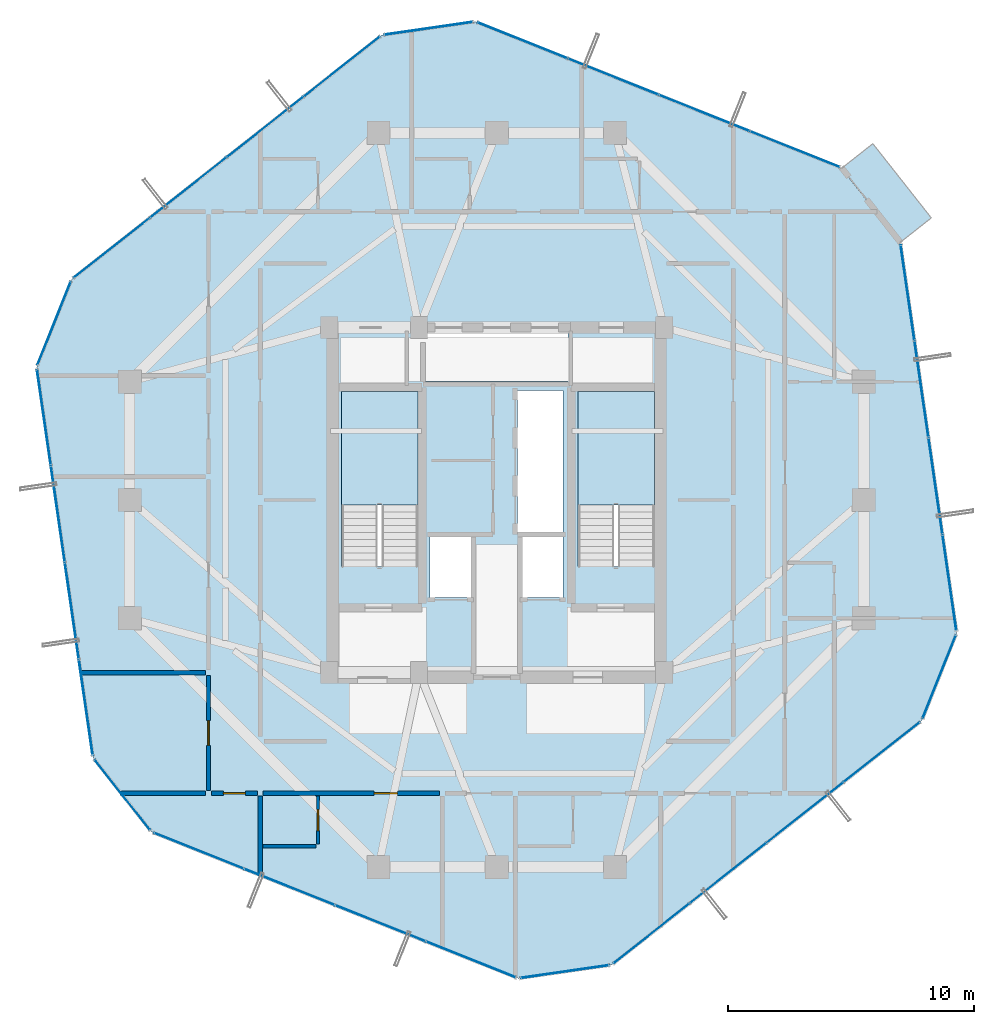
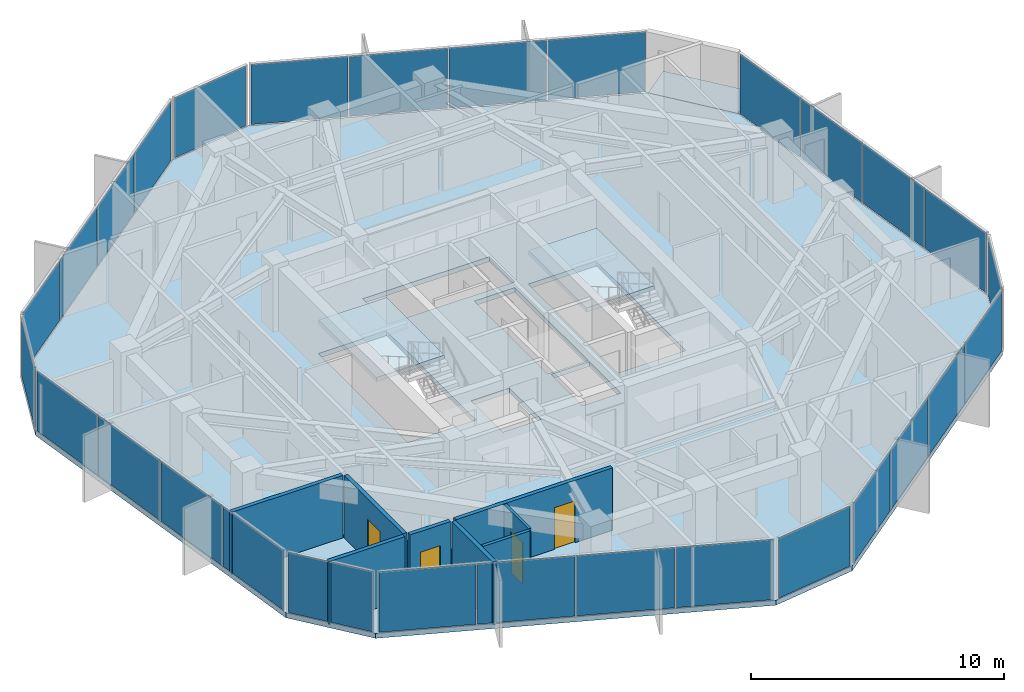
# One storey, part 26 of 31: 29 plates, 8 walls, 4 doors, 4 slabs, 4 openings, 13 elements without a shape of their own.
"""IFC4 building model written with IfcOpenShell, lengths in metres."""

from ifc_helpers import new_model, si_unit, direction, frame, frame_2d, origin, origin_2d, place, context, subcontext, project, spatial, polyline, rectangle, outline, extrude, source, transform, mapped, material, layer, layer_set, type_object, element, fill, aggregate, save


model = new_model("IFC4")

# Units and contexts
model_context = context("Model", 3, precision=1e-05, world=origin(), true_north=direction((0.0, 1.0)))
body_context = subcontext(model_context, "Body", "Model", "MODEL_VIEW")
ifc_project = project(units=[si_unit("LENGTHUNIT", "METRE"), si_unit("AREAUNIT", "SQUARE_METRE"), si_unit("VOLUMEUNIT", "CUBIC_METRE"), si_unit("PLANEANGLEUNIT", "RADIAN"), si_unit("MASSUNIT", "GRAM", prefix="KILO")], contexts=[model_context])

# Site, building, storey
site_placement = place(None, origin())
site = spatial("IfcSite", under=ifc_project, at=site_placement, CompositionType="ELEMENT")
building_placement = place(site_placement, origin())
building = spatial("IfcBuilding", under=site, at=building_placement, Name="Veraguas Prism Commons", CompositionType="ELEMENT")
storey_placement = place(building_placement, frame((0.0, 0.0, 178.85009765625)))
storey = spatial("IfcBuildingStorey", under=building, at=storey_placement, Name="L50", CompositionType="ELEMENT", Elevation=178.85009765625)

# Stair, slab
ifc_material_1 = material(Name="Precast concrete C45/55", Category="concrete")
stair_type = type_object("IfcStairType", Name="Dogleg Core Stair 1480W 20R 05", PredefinedType="HALF_TURN_STAIR", material=ifc_material_1)
stair_1_placement = place(storey_placement, origin())
stair_1 = element("IfcStair", 1, at=stair_1_placement, inside=storey, type_object=stair_type, Name="Protected Exit Stair ST-01 L50", PredefinedType="HALF_TURN_STAIR")
ifc_layer_1 = layer(ifc_material_1, 0.199951171875, Name="Precast Stair and Ramp Landing Slab 200", Category="concrete")
ifc_layer_set_1 = layer_set([ifc_layer_1], Name="Precast concrete C45/55")
slab_type_1 = type_object("IfcSlabType", Name="Precast Stair and Ramp Landing Slab 200", PredefinedType="LANDING", material=ifc_layer_set_1)
slab_1_placement = place(storey_placement, frame((0.0, 0.0, 1.4248046875)))
slab_1 = element("IfcSlab", 2, at=slab_1_placement, type_object=slab_type_1, Name="ST-05 Landing 1", PredefinedType="LANDING", context=body_context, shape_type="SweptSolid", body=[
    extrude(outline(polyline([(20.800048828125, 23.800048828125), (20.800048828125, 28.39990234375), (17.68994140625, 28.39990234375), (17.68994140625, 23.800048828125), (20.800048828125, 23.800048828125)])), origin(), (0.0, 0.0, 1.0), 0.2001953125),
])
aggregate(stair_1, [slab_1])

stair_2_placement = place(storey_placement, origin())
stair_2 = element("IfcStair", 3, at=stair_2_placement, inside=storey, type_object=stair_type, Name="Protected Exit Stair ST-02 L50", PredefinedType="HALF_TURN_STAIR")
slab_2_placement = place(storey_placement, frame((0.0, 0.0, 1.4248046875)))
slab_2 = element("IfcSlab", 4, at=slab_2_placement, type_object=slab_type_1, Name="ST-05 Landing 1", PredefinedType="LANDING", context=body_context, shape_type="SweptSolid", body=[
    extrude(outline(polyline([(30.39990234375, 23.800048828125), (30.39990234375, 28.39990234375), (27.2900390625, 28.39990234375), (27.2900390625, 23.800048828125), (30.39990234375, 23.800048828125)])), origin(), (0.0, 0.0, 1.0), 0.2001953125),
])
aggregate(stair_2, [slab_2])

# Slabs
ifc_material_2 = material(Name="Concrete C45/55", Category="concrete")
ifc_layer_2 = layer(ifc_material_2, 0.219970703125, Name="Recessed Loggia and Terrace Slab RC 220", Category="concrete")
ifc_layer_set_2 = layer_set([ifc_layer_2], Name="Concrete C45/55")
slab_type_2 = type_object("IfcSlabType", Name="Recessed Loggia and Terrace Slab RC 220", PredefinedType="FLOOR", material=ifc_layer_set_2)
slab_3_placement = place(storey_placement, frame((0.0, 0.0, -0.22021484375)))
element("IfcSlab", 5, at=slab_3_placement, inside=storey, type_object=slab_type_2, Name="Recessed Corner Loggia L50-C1", PredefinedType="FLOOR", context=body_context, shape_type="SweptSolid", body=[
    extrude(outline(polyline([(40.3671875, 34.448486328125), (41.639892578125, 35.450927734375), (39.267578125, 38.46337890625), (37.994873046875, 37.461181640625), (40.3671875, 34.448486328125)])), origin(), (0.0, 0.0, 1.0), 0.22021484375),
])
ifc_layer_3 = layer(ifc_material_2, 0.235107421875, Name="Tower Upper Residential Floor Slab RC 235", Category="concrete")
ifc_layer_set_3 = layer_set([ifc_layer_3], Name="Concrete C45/55")
slab_type_3 = type_object("IfcSlabType", Name="Tower Upper Residential Floor Slab RC 235", PredefinedType="FLOOR", material=ifc_layer_set_3)
slab_4_placement = place(storey_placement, frame((0.0, 0.0, -0.235107421875)))
element("IfcSlab", 6, at=slab_4_placement, inside=storey, type_object=slab_type_3, Name="Tower Floor Slab L50", PredefinedType="FLOOR", context=body_context, shape_type="SweptSolid", body=[
    extrude(outline(polyline([(40.3828125, 34.4609375), (38.010498046875, 37.473388671875), (23.1318359375, 43.41845703125), (19.3369140625, 42.870361328125), (6.7490234375, 32.95751953125), (5.326416015625, 29.396728515625), (7.6171875, 13.5390625), (9.989501953125, 10.526611328125), (24.8681640625, 4.58154296875), (28.6630859375, 5.129638671875), (41.2509765625, 15.04248046875), (42.673583984375, 18.603271484375), (40.3828125, 34.4609375)]), holes=[polyline([(20.800048828125, 21.31005859375), (20.800048828125, 28.39990234375), (17.68994140625, 28.39990234375), (17.68994140625, 21.31005859375), (20.800048828125, 21.31005859375)]), polyline([(30.39990234375, 21.31005859375), (30.39990234375, 28.39990234375), (27.2900390625, 28.39990234375), (27.2900390625, 21.31005859375), (30.39990234375, 21.31005859375)]), polyline([(24.85009765625, 22.64990234375), (26.699951171875, 22.64990234375), (26.699951171875, 28.449951171875), (24.85009765625, 28.449951171875), (24.85009765625, 22.64990234375)]), polyline([(21.10009765625, 28.800048828125), (26.89990234375, 28.800048828125), (26.89990234375, 30.800048828125), (21.10009765625, 30.800048828125), (21.10009765625, 28.800048828125)]), polyline([(21.300048828125, 20.050048828125), (23.050048828125, 20.050048828125), (23.050048828125, 22.550048828125), (21.300048828125, 22.550048828125), (21.300048828125, 20.050048828125)]), polyline([(24.949951171875, 20.050048828125), (26.699951171875, 20.050048828125), (26.699951171875, 22.550048828125), (24.949951171875, 22.550048828125), (24.949951171875, 20.050048828125)])]), origin(), (0.0, 0.0, 1.0), 0.235107421875),
])

# Curtain wall, plates
ifc_material_3 = material(Name="Anodised aluminium EN AW-6063 T6", Category="aluminium")
ifc_layer_4 = layer(ifc_material_3, 0.14990234375, Name="Unitised Flush Curtain Wall Zone 3", Category="aluminium")
ifc_layer_set_4 = layer_set([ifc_layer_4], Name="Anodised aluminium EN AW-6063 T6")
curtain_wall_type = type_object("IfcCurtainWallType", Name="Unitised Flush Curtain Wall Zone 3", PredefinedType="NOTDEFINED", material=ifc_layer_set_4)
curtain_wall_1_placement = place(storey_placement, origin())
curtain_wall_1 = element("IfcCurtainWall", 7, at=curtain_wall_1_placement, inside=storey, type_object=curtain_wall_type, Name="Tower Facade Curtain Wall L50-F1", PredefinedType="NOTDEFINED")
ifc_material_4 = material(Name="Laminated low-e glass", Category="glass")
ifc_layer_5 = layer(ifc_material_4, 0.028076171875, Name="Unitised Double Low-E Glazed Panel 28", Category="glass")
ifc_layer_set_5 = layer_set([ifc_layer_5], Name="Laminated low-e glass")
plate_type = type_object("IfcPlateType", Name="Unitised Double Low-E Glazed Panel 28", PredefinedType="CURTAIN_PANEL", material=ifc_layer_set_5)
shared_shape_1 = source(origin(), body_context, "Body", "SweptSolid", [
    extrude(rectangle(XDim=3.885498046875, YDim=0.028076171875, at=origin_2d()), origin(), (0.0, 0.0, 1.0), 2.905029296875),
])
plate_1_placement = place(storey_placement, frame((36.094970703125, 38.239013671875, 0.0546875), z_axis=(0.0, 0.0, 1.0), x_axis=(-0.928617992492, 0.37103722727, 0.0)))
plate_1 = element("IfcPlate", 8, at=plate_1_placement, type_object=plate_type, Name="CW-Z3 Panel 1.1", PredefinedType="CURTAIN_PANEL", context=body_context, shape_type="MappedRepresentation", body=[
    mapped(shared_shape_1, transform((0.0, 0.0, 0.0), scale=1.0)),
])
plate_2_placement = place(storey_placement, frame((25.04736328125, 42.653076171875, 0.0546875), z_axis=(0.0, 0.0, 1.0), x_axis=(-0.928617992492, 0.37103722727, 0.0)))
plate_2 = element("IfcPlate", 9, at=plate_2_placement, type_object=plate_type, Name="CW-Z3 Panel 4.1", PredefinedType="CURTAIN_PANEL", context=body_context, shape_type="MappedRepresentation", body=[
    mapped(shared_shape_1, transform((0.0, 0.0, 0.0), scale=1.0)),
])

curtain_wall_2_placement = place(storey_placement, origin())
curtain_wall_2 = element("IfcCurtainWall", 10, at=curtain_wall_2_placement, inside=storey, type_object=curtain_wall_type, Name="Tower Facade Curtain Wall L50-F3", PredefinedType="NOTDEFINED")
plate_3_placement = place(storey_placement, frame((5.621337890625, 27.355224609375, 0.0546875), z_axis=(0.0, 0.0, 1.0), x_axis=(0.142972694692, -0.989726633254, 0.0)))
plate_3 = element("IfcPlate", 11, at=plate_3_placement, type_object=plate_type, Name="CW-Z3 Panel 1.1", PredefinedType="CURTAIN_PANEL", context=body_context, shape_type="MappedRepresentation", body=[
    mapped(shared_shape_1, transform((0.0, 0.0, 0.0), scale=1.0)),
])
plate_4_placement = place(storey_placement, frame((7.322265625, 15.58056640625, 0.0546875), z_axis=(0.0, 0.0, 1.0), x_axis=(0.142972694692, -0.989726633254, 0.0)))
plate_4 = element("IfcPlate", 12, at=plate_4_placement, type_object=plate_type, Name="CW-Z3 Panel 4.1", PredefinedType="CURTAIN_PANEL", context=body_context, shape_type="MappedRepresentation", body=[
    mapped(shared_shape_1, transform((0.0, 0.0, 0.0), scale=1.0)),
])

curtain_wall_3_placement = place(storey_placement, origin())
curtain_wall_3 = element("IfcCurtainWall", 13, at=curtain_wall_3_placement, inside=storey, type_object=curtain_wall_type, Name="Tower Facade Curtain Wall L50-F4", PredefinedType="NOTDEFINED")
plate_5_placement = place(storey_placement, frame((11.905029296875, 9.760986328125, 0.0546875), z_axis=(0.0, 0.0, 1.0), x_axis=(0.928617992492, -0.37103722727, 0.0)))
plate_5 = element("IfcPlate", 14, at=plate_5_placement, type_object=plate_type, Name="CW-Z3 Panel 1.1", PredefinedType="CURTAIN_PANEL", context=body_context, shape_type="MappedRepresentation", body=[
    mapped(shared_shape_1, transform((0.0, 0.0, 0.0), scale=1.0)),
])
plate_6_placement = place(storey_placement, frame((22.95263671875, 5.346923828125, 0.0546875), z_axis=(0.0, 0.0, 1.0), x_axis=(0.928617992492, -0.37103722727, 0.0)))
plate_6 = element("IfcPlate", 15, at=plate_6_placement, type_object=plate_type, Name="CW-Z3 Panel 4.1", PredefinedType="CURTAIN_PANEL", context=body_context, shape_type="MappedRepresentation", body=[
    mapped(shared_shape_1, transform((0.0, 0.0, 0.0), scale=1.0)),
])

curtain_wall_4_placement = place(storey_placement, origin())
curtain_wall_4 = element("IfcCurtainWall", 16, at=curtain_wall_4_placement, inside=storey, type_object=curtain_wall_type, Name="Tower Facade Curtain Wall L50-F6", PredefinedType="NOTDEFINED")
plate_7_placement = place(storey_placement, frame((42.378662109375, 20.644775390625, 0.0546875), z_axis=(0.0, 0.0, 1.0), x_axis=(-0.142972694692, 0.989726633254, 0.0)))
plate_7 = element("IfcPlate", 17, at=plate_7_placement, type_object=plate_type, Name="CW-Z3 Panel 1.1", PredefinedType="CURTAIN_PANEL", context=body_context, shape_type="MappedRepresentation", body=[
    mapped(shared_shape_1, transform((0.0, 0.0, 0.0), scale=1.0)),
])
plate_8_placement = place(storey_placement, frame((40.677734375, 32.41943359375, 0.0546875), z_axis=(0.0, 0.0, 1.0), x_axis=(-0.142972694692, 0.989726633254, 0.0)))
plate_8 = element("IfcPlate", 18, at=plate_8_placement, type_object=plate_type, Name="CW-Z3 Panel 4.1", PredefinedType="CURTAIN_PANEL", context=body_context, shape_type="MappedRepresentation", body=[
    mapped(shared_shape_1, transform((0.0, 0.0, 0.0), scale=1.0)),
])

# Plate
shared_shape_2 = source(origin(), body_context, "Body", "SweptSolid", [
    extrude(rectangle(XDim=3.91552734375, YDim=0.028076171875, at=origin_2d()), origin(), (0.0, 0.0, 1.0), 2.905029296875),
])
plate_9_placement = place(storey_placement, frame((32.417236328125, 39.70849609375, 0.0546875), z_axis=(0.0, 0.0, 1.0), x_axis=(-0.928617992492, 0.37103722727, 0.0)))
plate_9 = element("IfcPlate", 19, at=plate_9_placement, type_object=plate_type, Name="CW-Z3 Panel 2.1", PredefinedType="CURTAIN_PANEL", context=body_context, shape_type="MappedRepresentation", body=[
    mapped(shared_shape_2, transform((0.0, 0.0, 0.0), scale=1.0)),
])

plate_10_placement = place(storey_placement, frame((28.725341796875, 41.18359375, 0.0546875), z_axis=(0.0, 0.0, 1.0), x_axis=(-0.928617992492, 0.37103722727, 0.0)))
plate_10 = element("IfcPlate", 20, at=plate_10_placement, type_object=plate_type, Name="CW-Z3 Panel 3.1", PredefinedType="CURTAIN_PANEL", context=body_context, shape_type="MappedRepresentation", body=[
    mapped(shared_shape_2, transform((0.0, 0.0, 0.0), scale=1.0)),
])

aggregate(curtain_wall_1, [plate_1, plate_9, plate_10, plate_2])

# Curtain wall, plates
curtain_wall_5_placement = place(storey_placement, origin())
curtain_wall_5 = element("IfcCurtainWall", 21, at=curtain_wall_5_placement, inside=storey, type_object=curtain_wall_type, Name="Tower Facade Curtain Wall L50-F2", PredefinedType="NOTDEFINED")
plate_11_placement = place(storey_placement, frame((14.604736328125, 39.143798828125, 0.0546875), z_axis=(0.0, 0.0, 1.0), x_axis=(-0.785642059854, -0.618681302278, 0.0)))
plate_11 = element("IfcPlate", 22, at=plate_11_placement, type_object=plate_type, Name="CW-Z3 Panel 2.1", PredefinedType="CURTAIN_PANEL", context=body_context, shape_type="MappedRepresentation", body=[
    mapped(shared_shape_2, transform((0.0, 0.0, 0.0), scale=1.0)),
])
plate_12_placement = place(storey_placement, frame((11.481201171875, 36.68408203125, 0.0546875), z_axis=(0.0, 0.0, 1.0), x_axis=(-0.785642059854, -0.618681302278, 0.0)))
plate_12 = element("IfcPlate", 23, at=plate_12_placement, type_object=plate_type, Name="CW-Z3 Panel 3.1", PredefinedType="CURTAIN_PANEL", context=body_context, shape_type="MappedRepresentation", body=[
    mapped(shared_shape_2, transform((0.0, 0.0, 0.0), scale=1.0)),
])

# Plate
plate_13_placement = place(storey_placement, frame((6.1875, 23.435302734375, 0.0546875), z_axis=(0.0, 0.0, 1.0), x_axis=(0.142972694692, -0.989726633254, 0.0)))
plate_13 = element("IfcPlate", 24, at=plate_13_placement, type_object=plate_type, Name="CW-Z3 Panel 2.1", PredefinedType="CURTAIN_PANEL", context=body_context, shape_type="MappedRepresentation", body=[
    mapped(shared_shape_2, transform((0.0, 0.0, 0.0), scale=1.0)),
])

plate_14_placement = place(storey_placement, frame((6.755859375, 19.50048828125, 0.0546875), z_axis=(0.0, 0.0, 1.0), x_axis=(0.142972694692, -0.989726633254, 0.0)))
plate_14 = element("IfcPlate", 25, at=plate_14_placement, type_object=plate_type, Name="CW-Z3 Panel 3.1", PredefinedType="CURTAIN_PANEL", context=body_context, shape_type="MappedRepresentation", body=[
    mapped(shared_shape_2, transform((0.0, 0.0, 0.0), scale=1.0)),
])

aggregate(curtain_wall_2, [plate_3, plate_13, plate_14, plate_4])

plate_15_placement = place(storey_placement, frame((15.582763671875, 8.29150390625, 0.0546875), z_axis=(0.0, 0.0, 1.0), x_axis=(0.928617992492, -0.37103722727, 0.0)))
plate_15 = element("IfcPlate", 26, at=plate_15_placement, type_object=plate_type, Name="CW-Z3 Panel 2.1", PredefinedType="CURTAIN_PANEL", context=body_context, shape_type="MappedRepresentation", body=[
    mapped(shared_shape_2, transform((0.0, 0.0, 0.0), scale=1.0)),
])

plate_16_placement = place(storey_placement, frame((19.274658203125, 6.81640625, 0.0546875), z_axis=(0.0, 0.0, 1.0), x_axis=(0.928617992492, -0.37103722727, 0.0)))
plate_16 = element("IfcPlate", 27, at=plate_16_placement, type_object=plate_type, Name="CW-Z3 Panel 3.1", PredefinedType="CURTAIN_PANEL", context=body_context, shape_type="MappedRepresentation", body=[
    mapped(shared_shape_2, transform((0.0, 0.0, 0.0), scale=1.0)),
])

aggregate(curtain_wall_3, [plate_5, plate_15, plate_16, plate_6])

# Curtain wall, plates
curtain_wall_6_placement = place(storey_placement, origin())
curtain_wall_6 = element("IfcCurtainWall", 28, at=curtain_wall_6_placement, inside=storey, type_object=curtain_wall_type, Name="Tower Facade Curtain Wall L50-F5", PredefinedType="NOTDEFINED")
plate_17_placement = place(storey_placement, frame((33.395263671875, 8.856201171875, 0.0546875), z_axis=(0.0, 0.0, 1.0), x_axis=(0.785642059854, 0.618681302278, 0.0)))
plate_17 = element("IfcPlate", 29, at=plate_17_placement, type_object=plate_type, Name="CW-Z3 Panel 2.1", PredefinedType="CURTAIN_PANEL", context=body_context, shape_type="MappedRepresentation", body=[
    mapped(shared_shape_2, transform((0.0, 0.0, 0.0), scale=1.0)),
])
plate_18_placement = place(storey_placement, frame((36.518798828125, 11.31591796875, 0.0546875), z_axis=(0.0, 0.0, 1.0), x_axis=(0.785642059854, 0.618681302278, 0.0)))
plate_18 = element("IfcPlate", 30, at=plate_18_placement, type_object=plate_type, Name="CW-Z3 Panel 3.1", PredefinedType="CURTAIN_PANEL", context=body_context, shape_type="MappedRepresentation", body=[
    mapped(shared_shape_2, transform((0.0, 0.0, 0.0), scale=1.0)),
])

# Plate
plate_19_placement = place(storey_placement, frame((41.8125, 24.564697265625, 0.0546875), z_axis=(0.0, 0.0, 1.0), x_axis=(-0.142972694692, 0.989726633254, 0.0)))
plate_19 = element("IfcPlate", 31, at=plate_19_placement, type_object=plate_type, Name="CW-Z3 Panel 2.1", PredefinedType="CURTAIN_PANEL", context=body_context, shape_type="MappedRepresentation", body=[
    mapped(shared_shape_2, transform((0.0, 0.0, 0.0), scale=1.0)),
])

plate_20_placement = place(storey_placement, frame((41.244140625, 28.49951171875, 0.0546875), z_axis=(0.0, 0.0, 1.0), x_axis=(-0.142972694692, 0.989726633254, 0.0)))
plate_20 = element("IfcPlate", 32, at=plate_20_placement, type_object=plate_type, Name="CW-Z3 Panel 3.1", PredefinedType="CURTAIN_PANEL", context=body_context, shape_type="MappedRepresentation", body=[
    mapped(shared_shape_2, transform((0.0, 0.0, 0.0), scale=1.0)),
])

aggregate(curtain_wall_4, [plate_7, plate_19, plate_20, plate_8])

shared_shape_3 = source(origin(), body_context, "Body", "SweptSolid", [
    extrude(rectangle(XDim=3.8857421875, YDim=0.028076171875, at=origin_2d()), origin(), (0.0, 0.0, 1.0), 2.905029296875),
])
plate_21_placement = place(storey_placement, frame((17.71630859375, 41.593994140625, 0.0546875), z_axis=(0.0, 0.0, 1.0), x_axis=(-0.785642059854, -0.618681302278, 0.0)))
plate_21 = element("IfcPlate", 33, at=plate_21_placement, type_object=plate_type, Name="CW-Z3 Panel 1.1", PredefinedType="CURTAIN_PANEL", context=body_context, shape_type="MappedRepresentation", body=[
    mapped(shared_shape_3, transform((0.0, 0.0, 0.0), scale=1.0)),
])

plate_22_placement = place(storey_placement, frame((8.36962890625, 34.233642578125, 0.0546875), z_axis=(0.0, 0.0, 1.0), x_axis=(-0.785642059854, -0.618681302278, 0.0)))
plate_22 = element("IfcPlate", 34, at=plate_22_placement, type_object=plate_type, Name="CW-Z3 Panel 4.1", PredefinedType="CURTAIN_PANEL", context=body_context, shape_type="MappedRepresentation", body=[
    mapped(shared_shape_3, transform((0.0, 0.0, 0.0), scale=1.0)),
])

aggregate(curtain_wall_5, [plate_21, plate_11, plate_12, plate_22])

plate_23_placement = place(storey_placement, frame((30.28369140625, 6.406005859375, 0.0546875), z_axis=(0.0, 0.0, 1.0), x_axis=(0.785642059854, 0.618681302278, 0.0)))
plate_23 = element("IfcPlate", 35, at=plate_23_placement, type_object=plate_type, Name="CW-Z3 Panel 1.1", PredefinedType="CURTAIN_PANEL", context=body_context, shape_type="MappedRepresentation", body=[
    mapped(shared_shape_3, transform((0.0, 0.0, 0.0), scale=1.0)),
])

plate_24_placement = place(storey_placement, frame((39.63037109375, 13.766357421875, 0.0546875), z_axis=(0.0, 0.0, 1.0), x_axis=(0.785642059854, 0.618681302278, 0.0)))
plate_24 = element("IfcPlate", 36, at=plate_24_placement, type_object=plate_type, Name="CW-Z3 Panel 4.1", PredefinedType="CURTAIN_PANEL", context=body_context, shape_type="MappedRepresentation", body=[
    mapped(shared_shape_3, transform((0.0, 0.0, 0.0), scale=1.0)),
])

aggregate(curtain_wall_6, [plate_23, plate_17, plate_18, plate_24])

# Curtain wall, plate
curtain_wall_7_placement = place(storey_placement, origin())
curtain_wall_7 = element("IfcCurtainWall", 37, at=curtain_wall_7_placement, inside=storey, type_object=curtain_wall_type, Name="Chamfer Curtain Wall L50-C2", PredefinedType="NOTDEFINED")
shared_shape_4 = source(origin(), body_context, "Body", "SweptSolid", [
    extrude(rectangle(XDim=3.59423828125, YDim=0.028076171875, at=origin_2d()), origin(), (0.0, 0.0, 1.0), 2.905029296875),
])
plate_25_placement = place(storey_placement, frame((21.234375, 43.144287109375, 0.0546875), z_axis=(0.0, 0.0, 1.0), x_axis=(-0.989728629433, -0.142958875487, 0.0)))
plate_25 = element("IfcPlate", 38, at=plate_25_placement, type_object=plate_type, Name="CW-Z3 Panel 1.1", PredefinedType="CURTAIN_PANEL", context=body_context, shape_type="MappedRepresentation", body=[
    mapped(shared_shape_4, transform((0.0, 0.0, 0.0), scale=1.0)),
])
aggregate(curtain_wall_7, [plate_25])

curtain_wall_8_placement = place(storey_placement, origin())
curtain_wall_8 = element("IfcCurtainWall", 39, at=curtain_wall_8_placement, inside=storey, type_object=curtain_wall_type, Name="Chamfer Curtain Wall L50-C5", PredefinedType="NOTDEFINED")
plate_26_placement = place(storey_placement, frame((26.765625, 4.855712890625, 0.0546875), z_axis=(0.0, 0.0, 1.0), x_axis=(0.989728629433, 0.142958875487, 0.0)))
plate_26 = element("IfcPlate", 40, at=plate_26_placement, type_object=plate_type, Name="CW-Z3 Panel 1.1", PredefinedType="CURTAIN_PANEL", context=body_context, shape_type="MappedRepresentation", body=[
    mapped(shared_shape_4, transform((0.0, 0.0, 0.0), scale=1.0)),
])
aggregate(curtain_wall_8, [plate_26])

curtain_wall_9_placement = place(storey_placement, origin())
curtain_wall_9 = element("IfcCurtainWall", 41, at=curtain_wall_9_placement, inside=storey, type_object=curtain_wall_type, Name="Chamfer Curtain Wall L50-C3", PredefinedType="NOTDEFINED")
shared_shape_5 = source(origin(), body_context, "Body", "SweptSolid", [
    extrude(rectangle(XDim=3.594482421875, YDim=0.028076171875, at=origin_2d()), origin(), (0.0, 0.0, 1.0), 2.905029296875),
])
plate_27_placement = place(storey_placement, frame((6.03759765625, 31.17724609375, 0.0546875), z_axis=(0.0, 0.0, 1.0), x_axis=(-0.371014536741, -0.928627058365, 0.0)))
plate_27 = element("IfcPlate", 42, at=plate_27_placement, type_object=plate_type, Name="CW-Z3 Panel 1.1", PredefinedType="CURTAIN_PANEL", context=body_context, shape_type="MappedRepresentation", body=[
    mapped(shared_shape_5, transform((0.0, 0.0, 0.0), scale=1.0)),
])
aggregate(curtain_wall_9, [plate_27])

curtain_wall_10_placement = place(storey_placement, origin())
curtain_wall_10 = element("IfcCurtainWall", 43, at=curtain_wall_10_placement, inside=storey, type_object=curtain_wall_type, Name="Chamfer Curtain Wall L50-C4", PredefinedType="NOTDEFINED")
plate_28_placement = place(storey_placement, frame((8.80322265625, 12.03271484375, 0.0546875), z_axis=(0.0, 0.0, 1.0), x_axis=(0.618678559866, -0.785644219454, 0.0)))
plate_28 = element("IfcPlate", 44, at=plate_28_placement, type_object=plate_type, Name="CW-Z3 Panel 1.1", PredefinedType="CURTAIN_PANEL", context=body_context, shape_type="MappedRepresentation", body=[
    mapped(shared_shape_5, transform((0.0, 0.0, 0.0), scale=1.0)),
])
aggregate(curtain_wall_10, [plate_28])

curtain_wall_11_placement = place(storey_placement, origin())
curtain_wall_11 = element("IfcCurtainWall", 45, at=curtain_wall_11_placement, inside=storey, type_object=curtain_wall_type, Name="Chamfer Curtain Wall L50-C6", PredefinedType="NOTDEFINED")
plate_29_placement = place(storey_placement, frame((41.96240234375, 16.82275390625, 0.0546875), z_axis=(0.0, 0.0, 1.0), x_axis=(0.371014536741, 0.928627058365, 0.0)))
plate_29 = element("IfcPlate", 46, at=plate_29_placement, type_object=plate_type, Name="CW-Z3 Panel 1.1", PredefinedType="CURTAIN_PANEL", context=body_context, shape_type="MappedRepresentation", body=[
    mapped(shared_shape_5, transform((0.0, 0.0, 0.0), scale=1.0)),
])
aggregate(curtain_wall_11, [plate_29])

# Wall
ifc_material_5 = material(Name="Autoclaved aerated masonry block 10 MPa", Category="masonry")
ifc_layer_6 = layer(ifc_material_5, 0.179931640625, Name="Corridor and Inter-Tenancy Partition 180", Category="masonry")
ifc_layer_set_6 = layer_set([ifc_layer_6], Name="Autoclaved aerated masonry block 10 MPa")
wall_type_1 = type_object("IfcWallType", Name="Corridor and Inter-Tenancy Partition 180", PredefinedType="PARTITIONING", material=ifc_layer_set_6)
wall_1_placement = place(storey_placement, frame((14.39990234375, 11.97998046875, 0.0), z_axis=(0.0, 0.0, 1.0), x_axis=(0.0, -1.0, 0.0)))
element("IfcWall", 47, at=wall_1_placement, inside=storey, type_object=wall_type_1, Name="WL-L50-PT001", PredefinedType="PARTITIONING", context=body_context, shape_type="SweptSolid", body=[
    extrude(rectangle(XDim=3.248046875, YDim=0.179931640625, at=frame_2d((1.6240234375, 0.0))), origin(), (0.0, 0.0, 1.0), 3.014892578125),
])

# Wall, opening, door
wall_2_placement = place(storey_placement, frame((14.510009765625, 12.10009765625, 0.0), z_axis=(0.0, 0.0, 1.0), x_axis=(1.0, 0.0, 0.0)))
wall_2 = element("IfcWall", 48, at=wall_2_placement, inside=storey, type_object=wall_type_1, Name="WL-L50-PT005", PredefinedType="PARTITIONING", context=body_context, shape_type="SweptSolid", body=[
    extrude(rectangle(XDim=7.174072265625, YDim=0.179931640625, at=frame_2d((3.5869140625, 0.0))), origin(), (0.0, 0.0, 1.0), 3.014892578125),
])
opening_1_placement = place(wall_2_placement, frame((4.509765625, 0.0, 0.0)))
opening_1 = element("IfcOpeningElement", 49, at=opening_1_placement, cuts=wall_2, Name="Opening DR-01", PredefinedType="OPENING", context=body_context, shape_type="SweptSolid", body=[
    extrude(rectangle(XDim=0.949951171875, YDim=2.02001953125, at=frame_2d((0.47509765625, 1.010009765625))), frame((0.0, 0.099853515625, 0.0), z_axis=(0.0, -1.0, 0.0), x_axis=(1.0, 0.0, 0.0)), (0.0, 0.0, 1.0), 0.199951171875),
])
door_type_1 = type_object("IfcDoorType", Name="Apartment Entrance Fire Door 950x2020", OperationType="NOTDEFINED", PredefinedType="DOOR", material=ifc_material_3)
shared_shape_6 = source(origin(), body_context, "Body", "SweptSolid", [
    extrude(rectangle(XDim=0.949951171875, YDim=2.02001953125, at=frame_2d((0.47509765625, 1.010009765625))), frame((0.0, 0.02490234375, 0.0), z_axis=(0.0, -1.0, 0.0), x_axis=(1.0, 0.0, 0.0)), (0.0, 0.0, 1.0), 0.050048828125),
])
door_1_placement = place(opening_1_placement, origin())
door_1 = element("IfcDoor", 50, at=door_1_placement, inside=storey, type_object=door_type_1, Name="Studio 50A Entrance Door", OperationType="SINGLE_SWING_RIGHT", OverallHeight=2.02001953125, OverallWidth=0.949951171875, PredefinedType="DOOR", context=body_context, shape_type="MappedRepresentation", body=[
    mapped(shared_shape_6, transform((0.0, 0.0, 0.0), scale=1.0)),
])
fill(opening_1, door_1)

# Wall
wall_3_placement = place(storey_placement, frame((12.179931640625, 12.10009765625, 0.0), z_axis=(0.0, 0.0, 1.0), x_axis=(-1.0, 0.0, 0.0)))
element("IfcWall", 51, at=wall_3_placement, inside=storey, type_object=wall_type_1, Name="WL-L50-PT027", PredefinedType="PARTITIONING", context=body_context, shape_type="SweptSolid", body=[
    extrude(rectangle(XDim=3.4677734375, YDim=0.179931640625, at=frame_2d((1.73388671875, 0.0))), origin(), (0.0, 0.0, 1.0), 3.014892578125),
])

# Wall, opening, door
wall_4_placement = place(storey_placement, frame((12.300048828125, 12.2099609375, 0.0), z_axis=(0.0, 0.0, 1.0), x_axis=(0.0, 1.0, 0.0)))
wall_4 = element("IfcWall", 52, at=wall_4_placement, inside=storey, type_object=wall_type_1, Name="WL-L50-PT029", PredefinedType="PARTITIONING", context=body_context, shape_type="SweptSolid", body=[
    extrude(rectangle(XDim=4.6640625, YDim=0.179931640625, at=frame_2d((2.33203125, 0.0))), origin(), (0.0, 0.0, 1.0), 3.014892578125),
])
opening_2_placement = place(wall_4_placement, frame((1.83203125, 0.0, 0.0)))
opening_2 = element("IfcOpeningElement", 53, at=opening_2_placement, cuts=wall_4, Name="Opening DR-13", PredefinedType="OPENING", context=body_context, shape_type="SweptSolid", body=[
    extrude(rectangle(XDim=1.0, YDim=2.010009765625, at=frame_2d((0.5, 1.0048828125))), frame((0.0, 0.099853515625, 0.0), z_axis=(0.0, -1.0, 0.0), x_axis=(1.0, 0.0, 0.0)), (0.0, 0.0, 1.0), 0.199951171875),
])
ifc_material_6 = material(Name="Steel fire-rated door assembly", Category="steel")
door_type_2 = type_object("IfcDoorType", Name="Core Accessible WC and Clinic Fire Door 1000x2010", OperationType="NOTDEFINED", PredefinedType="DOOR", material=ifc_material_6)
shared_shape_7 = source(origin(), body_context, "Body", "SweptSolid", [
    extrude(rectangle(XDim=1.0, YDim=2.010009765625, at=frame_2d((0.5, 1.0048828125))), frame((0.0, 0.02490234375, 0.0), z_axis=(0.0, -1.0, 0.0), x_axis=(1.0, 0.0, 0.0)), (0.0, 0.0, 1.0), 0.050048828125),
])
door_2_placement = place(opening_2_placement, origin())
door_2 = element("IfcDoor", 54, at=door_2_placement, inside=storey, type_object=door_type_2, Name="Community Co-op Kitchen Door", OperationType="SINGLE_SWING_LEFT", OverallHeight=2.010009765625, OverallWidth=1.0, PredefinedType="DOOR", context=body_context, shape_type="MappedRepresentation", body=[
    mapped(shared_shape_7, transform((0.0, 0.0, 0.0), scale=1.0)),
])
fill(opening_2, door_2)

# Wall
wall_5_placement = place(storey_placement, frame((12.179931640625, 16.98388671875, 0.0), z_axis=(0.0, 0.0, 1.0), x_axis=(-1.0, 0.0, 0.0)))
element("IfcWall", 55, at=wall_5_placement, inside=storey, type_object=wall_type_1, Name="WL-L50-PT031", PredefinedType="PARTITIONING", context=body_context, shape_type="SweptSolid", body=[
    extrude(rectangle(XDim=5.0908203125, YDim=0.179931640625, at=frame_2d((2.54541015625, 0.0))), origin(), (0.0, 0.0, 1.0), 3.014892578125),
])

# Wall, opening, door
wall_6_placement = place(storey_placement, frame((12.419921875, 12.10009765625, 0.0), z_axis=(0.0, 0.0, 1.0), x_axis=(1.0, 0.0, 0.0)))
wall_6 = element("IfcWall", 56, at=wall_6_placement, inside=storey, type_object=wall_type_1, Name="WL-L50-PT048", PredefinedType="PARTITIONING", context=body_context, shape_type="SweptSolid", body=[
    extrude(rectangle(XDim=1.860107421875, YDim=0.179931640625, at=frame_2d((0.93017578125, 0.0))), origin(), (0.0, 0.0, 1.0), 3.014892578125),
])
opening_3_placement = place(wall_6_placement, frame((0.47998046875, 0.0, 0.0)))
opening_3 = element("IfcOpeningElement", 57, at=opening_3_placement, cuts=wall_6, Name="Opening DR-14", PredefinedType="OPENING", context=body_context, shape_type="SweptSolid", body=[
    extrude(rectangle(XDim=0.89990234375, YDim=2.010009765625, at=frame_2d((0.449951171875, 1.0048828125))), frame((0.0, 0.099853515625, 0.0), z_axis=(0.0, -1.0, 0.0), x_axis=(1.0, 0.0, 0.0)), (0.0, 0.0, 1.0), 0.199951171875),
])
door_type_3 = type_object("IfcDoorType", Name="Core Service Room Fire Door 900x2010", OperationType="NOTDEFINED", PredefinedType="DOOR", material=ifc_material_6)
shared_shape_8 = source(origin(), body_context, "Body", "SweptSolid", [
    extrude(rectangle(XDim=0.89990234375, YDim=2.010009765625, at=frame_2d((0.449951171875, 1.0048828125))), frame((0.0, 0.02490234375, 0.0), z_axis=(0.0, -1.0, 0.0), x_axis=(1.0, 0.0, 0.0)), (0.0, 0.0, 1.0), 0.050048828125),
])
door_3_placement = place(opening_3_placement, origin())
door_3 = element("IfcDoor", 58, at=door_3_placement, inside=storey, type_object=door_type_3, Name="Community Co-op Kitchen SW Door", OperationType="SINGLE_SWING_LEFT", OverallHeight=2.010009765625, OverallWidth=0.89990234375, PredefinedType="DOOR", context=body_context, shape_type="MappedRepresentation", body=[
    mapped(shared_shape_8, transform((0.0, 0.0, 0.0), scale=1.0)),
])
fill(opening_3, door_3)

ifc_material_7 = material(Name="Lightweight acoustic gypsum board")
ifc_layer_7 = layer(ifc_material_7, 0.125, Name="Internal Apartment Room Partition 125")
ifc_layer_set_7 = layer_set([ifc_layer_7], Name="Lightweight acoustic gypsum board")
wall_type_2 = type_object("IfcWallType", Name="Internal Apartment Room Partition 125", PredefinedType="PARTITIONING", material=ifc_layer_set_7)
wall_7_placement = place(storey_placement, frame((16.75, 11.97998046875, 0.0), z_axis=(0.0, 0.0, 1.0), x_axis=(0.0, -1.0, 0.0)))
wall_7 = element("IfcWall", 59, at=wall_7_placement, inside=storey, type_object=wall_type_2, Name="WL-L50-PT006", PredefinedType="PARTITIONING", context=body_context, shape_type="SweptSolid", body=[
    extrude(rectangle(XDim=1.949951171875, YDim=0.125, at=frame_2d((0.97509765625, 0.0))), origin(), (0.0, 0.0, 1.0), 3.014892578125),
])
opening_4_placement = place(wall_7_placement, frame((0.544921875, 0.0, 0.0)))
opening_4 = element("IfcOpeningElement", 60, at=opening_4_placement, cuts=wall_7, Name="Opening DR-03", PredefinedType="OPENING", context=body_context, shape_type="SweptSolid", body=[
    extrude(rectangle(XDim=0.860107421875, YDim=2.010009765625, at=frame_2d((0.43017578125, 1.0048828125))), frame((0.0, 0.072509765625, 0.0), z_axis=(0.0, -1.0, 0.0), x_axis=(1.0, 0.0, 0.0)), (0.0, 0.0, 1.0), 0.14501953125),
])
ifc_material_8 = material(Name="Timber moisture-resistant leaf", Category="wood")
door_type_4 = type_object("IfcDoorType", Name="Internal Bathroom Door 860x2010", OperationType="NOTDEFINED", PredefinedType="DOOR", material=ifc_material_8)
shared_shape_9 = source(origin(), body_context, "Body", "SweptSolid", [
    extrude(rectangle(XDim=0.860107421875, YDim=2.010009765625, at=frame_2d((0.43017578125, 1.0048828125))), frame((0.0, 0.02490234375, 0.0), z_axis=(0.0, -1.0, 0.0), x_axis=(1.0, 0.0, 0.0)), (0.0, 0.0, 1.0), 0.050048828125),
])
door_4_placement = place(opening_4_placement, origin())
door_4 = element("IfcDoor", 61, at=door_4_placement, inside=storey, type_object=door_type_4, Name="Studio 50A Bathroom Door", OperationType="SINGLE_SWING_LEFT", OverallHeight=2.010009765625, OverallWidth=0.860107421875, PredefinedType="DOOR", context=body_context, shape_type="MappedRepresentation", body=[
    mapped(shared_shape_9, transform((0.0, 0.0, 0.0), scale=1.0)),
])
fill(opening_4, door_4)

# Wall
ifc_layer_8 = layer(ifc_material_7, 0.14990234375, Name="Wet Room and Clinic Acoustic Partition 150")
ifc_layer_set_8 = layer_set([ifc_layer_8], Name="Lightweight acoustic gypsum board")
wall_type_3 = type_object("IfcWallType", Name="Wet Room and Clinic Acoustic Partition 150", PredefinedType="PARTITIONING", material=ifc_layer_set_8)
wall_8_placement = place(storey_placement, frame((14.52001953125, 9.949951171875, 0.0), z_axis=(0.0, 0.0, 1.0), x_axis=(1.0, 0.0, 0.0)))
element("IfcWall", 62, at=wall_8_placement, inside=storey, type_object=wall_type_3, Name="WL-L50-PT007", PredefinedType="PARTITIONING", context=body_context, shape_type="SweptSolid", body=[
    extrude(rectangle(XDim=2.14990234375, YDim=0.14990234375, at=frame_2d((1.074951171875, 0.0))), origin(), (0.0, 0.0, 1.0), 3.014892578125),
])

save(model, "model.ifc")
